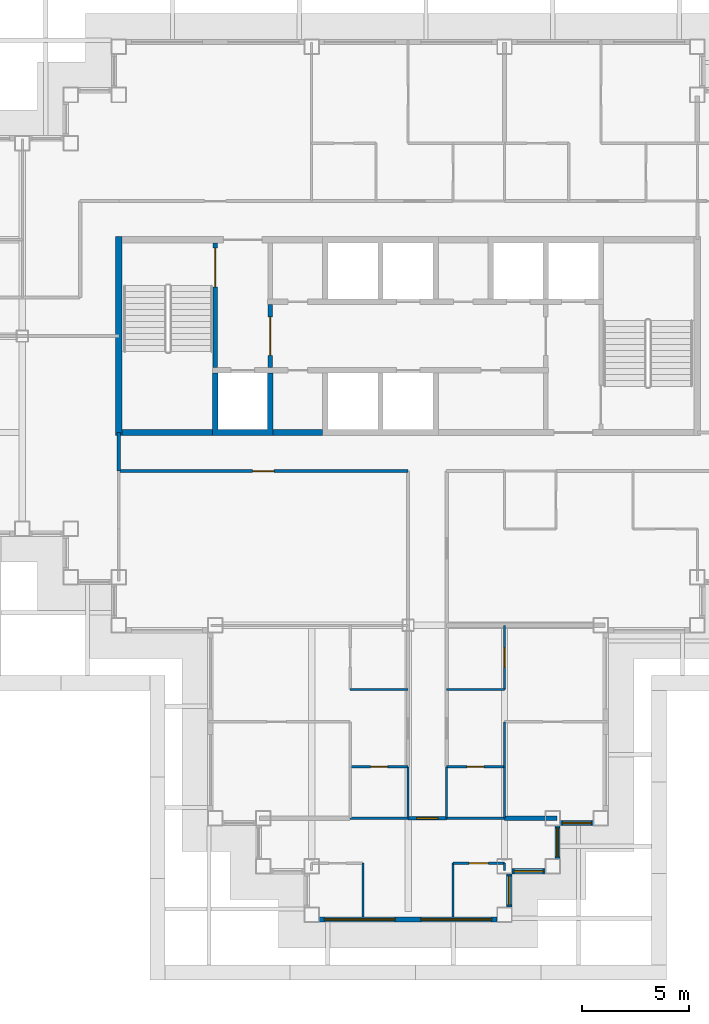
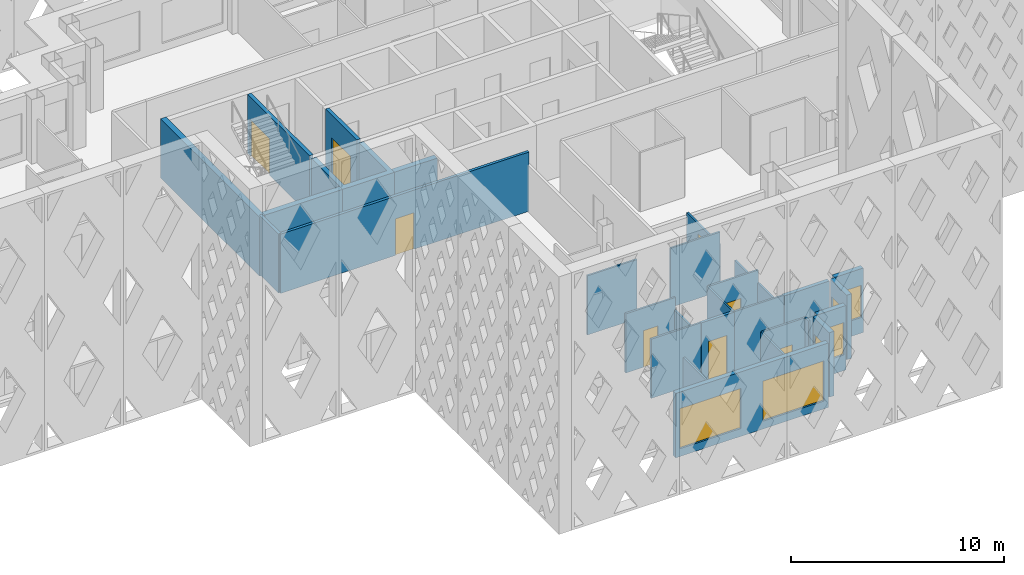
# One storey, part 3 of 17: 30 walls, 8 doors, 6 windows, 14 openings.
"""IFC4 building model written with IfcOpenShell, lengths in metres."""

from ifc_helpers import new_model, si_unit, direction, frame, frame_2d, origin, place, context, subcontext, project, spatial, polyline, rectangle, outline, extrude, material, layer, layer_set, type_object, element, fill, save


model = new_model("IFC4")

# Units and contexts
model_context = context("Model", 3, precision=1e-05, world=origin(), true_north=direction((0.0, 1.0)))
body_context = subcontext(model_context, "Body", "Model", "MODEL_VIEW")
ifc_project = project(units=[si_unit("LENGTHUNIT", "METRE"), si_unit("AREAUNIT", "SQUARE_METRE"), si_unit("VOLUMEUNIT", "CUBIC_METRE"), si_unit("PLANEANGLEUNIT", "RADIAN"), si_unit("MASSUNIT", "GRAM", prefix="KILO")], contexts=[model_context])

# Site, building, storey
site_placement = place(None, origin())
site = spatial("IfcSite", under=ifc_project, at=site_placement, CompositionType="ELEMENT")
building_placement = place(site_placement, origin())
building = spatial("IfcBuilding", under=site, at=building_placement, Name="Caravel Reach Hotel and Residences", CompositionType="ELEMENT")
storey_placement = place(building_placement, frame((0.0, 0.0, 192.39990234375)))
storey = spatial("IfcBuildingStorey", under=building, at=storey_placement, Name="L48", CompositionType="ELEMENT", Elevation=192.39990234375)

# Walls
ifc_material_1 = material(Name="Gypsum board on steel stud", Category="steel")
ifc_layer_1 = layer(ifc_material_1, 0.10009765625)
ifc_layer_set_1 = layer_set([ifc_layer_1], Name="Bathroom pod wall 100 mm")
wall_type_1 = type_object("IfcWallType", Name="Bathroom pod wall 100 mm", PredefinedType="PARTITIONING", material=ifc_layer_set_1)
for number, where, z_axis, x_axis, name in (
    (1, (33.300048828125, 4.5, 0.0), (0.0, 0.0, 1.0), (1.0, 0.0, 0.0), "L48 wall w088"),
    (2, (28.800048828125, 4.5, 0.0), (0.0, 0.0, 1.0), (1.0, 0.0, 0.0), "L48 wall w089"),
):
    element("IfcWall", number, at=place(storey_placement, frame(where, z_axis=z_axis, x_axis=x_axis)), inside=storey, type_object=wall_type_1, Name=name, PredefinedType="PARTITIONING", context=body_context, shape_type="SweptSolid", body=[
        extrude(rectangle(XDim=2.699951171875, YDim=0.10009765625, at=frame_2d((1.35009765625, 0.0))), origin(), (0.0, 0.0, 1.0), 3.400146484375),
    ])

# Wall, opening, door
wall_1_placement = place(storey_placement, frame((33.300048828125, 6.89990234375, 0.0), z_axis=(0.0, 0.0, 1.0), x_axis=(1.0, 0.0, 0.0)))
wall_1 = element("IfcWall", 3, at=wall_1_placement, inside=storey, type_object=wall_type_1, Name="L48 wall w090", PredefinedType="PARTITIONING", context=body_context, shape_type="SweptSolid", body=[
    extrude(rectangle(XDim=2.699951171875, YDim=0.10009765625, at=frame_2d((1.35009765625, 0.0))), origin(), (0.0, 0.0, 1.0), 3.400146484375),
])
opening_1_placement = place(wall_1_placement, frame((0.949951171875, 0.0, 0.0)))
opening_1 = element("IfcOpeningElement", 4, at=opening_1_placement, cuts=wall_1, Name="Opening D48-039", PredefinedType="OPENING", context=body_context, shape_type="SweptSolid", body=[
    extrude(rectangle(XDim=0.800048828125, YDim=2.10009765625, at=frame_2d((0.39990234375, 1.050048828125))), frame((0.0, 0.06005859375, 0.0), z_axis=(0.0, -1.0, 0.0), x_axis=(1.0, 0.0, 0.0)), (0.0, 0.0, 1.0), 0.1201171875),
])
ifc_material_2 = material(Name="Timber and steel door leaf", Category="steel")
door_type_1 = type_object("IfcDoorType", Name="Bathroom door 800 x 2100", OperationType="SINGLE_SWING_LEFT", PredefinedType="DOOR", material=ifc_material_2)
door_1_placement = place(opening_1_placement, origin())
door_1 = element("IfcDoor", 5, at=door_1_placement, inside=storey, type_object=door_type_1, Name="door D48-039", OperationType="SINGLE_SWING_RIGHT", OverallHeight=2.10009765625, OverallWidth=0.800048828125, PredefinedType="DOOR", context=body_context, shape_type="SweptSolid", body=[
    extrude(rectangle(XDim=0.800048828125, YDim=2.10009765625, at=frame_2d((0.39990234375, 1.050048828125))), frame((0.0, 0.02490234375, 0.0), z_axis=(0.0, -1.0, 0.0), x_axis=(1.0, 0.0, 0.0)), (0.0, 0.0, 1.0), 0.050048828125),
])
fill(opening_1, door_1)

wall_2_placement = place(storey_placement, frame((28.800048828125, 6.89990234375, 0.0), z_axis=(0.0, 0.0, 1.0), x_axis=(1.0, 0.0, 0.0)))
wall_2 = element("IfcWall", 6, at=wall_2_placement, inside=storey, type_object=wall_type_1, Name="L48 wall w091", PredefinedType="PARTITIONING", context=body_context, shape_type="SweptSolid", body=[
    extrude(rectangle(XDim=2.699951171875, YDim=0.10009765625, at=frame_2d((1.35009765625, 0.0))), origin(), (0.0, 0.0, 1.0), 3.400146484375),
])
opening_2_placement = place(wall_2_placement, frame((0.949951171875, 0.0, 0.0)))
opening_2 = element("IfcOpeningElement", 7, at=opening_2_placement, cuts=wall_2, Name="Opening D48-035", PredefinedType="OPENING", context=body_context, shape_type="SweptSolid", body=[
    extrude(rectangle(XDim=0.800048828125, YDim=2.10009765625, at=frame_2d((0.39990234375, 1.050048828125))), frame((0.0, 0.06005859375, 0.0), z_axis=(0.0, -1.0, 0.0), x_axis=(1.0, 0.0, 0.0)), (0.0, 0.0, 1.0), 0.1201171875),
])
door_2_placement = place(opening_2_placement, origin())
door_2 = element("IfcDoor", 8, at=door_2_placement, inside=storey, type_object=door_type_1, Name="door D48-035", OperationType="SINGLE_SWING_LEFT", OverallHeight=2.10009765625, OverallWidth=0.800048828125, PredefinedType="DOOR", context=body_context, shape_type="SweptSolid", body=[
    extrude(rectangle(XDim=0.800048828125, YDim=2.10009765625, at=frame_2d((0.39990234375, 1.050048828125))), frame((0.0, 0.02490234375, 0.0), z_axis=(0.0, -1.0, 0.0), x_axis=(1.0, 0.0, 0.0)), (0.0, 0.0, 1.0), 0.050048828125),
])
fill(opening_2, door_2)

# Walls
wall_3_placement = place(storey_placement, frame((29.39990234375, -0.10009765625, 0.0), z_axis=(0.0, 0.0, 1.0), x_axis=(0.0, 1.0, 0.0)))
element("IfcWall", 9, at=wall_3_placement, inside=storey, type_object=wall_type_1, Name="L48 wall w095", PredefinedType="PARTITIONING", context=body_context, shape_type="SweptSolid", body=[
    extrude(rectangle(XDim=2.5, YDim=0.10009765625, at=frame_2d((1.25, 0.0))), origin(), (0.0, 0.0, 1.0), 3.400146484375),
])
wall_4_placement = place(storey_placement, frame((31.5, 4.5, 0.0), z_axis=(0.0, 0.0, 1.0), x_axis=(0.0, 1.0, 0.0)))
element("IfcWall", 10, at=wall_4_placement, inside=storey, type_object=wall_type_1, Name="L48 wall w096", PredefinedType="PARTITIONING", context=body_context, shape_type="SweptSolid", body=[
    extrude(rectangle(XDim=2.39990234375, YDim=0.10009765625, at=frame_2d((1.199951171875, 0.0))), origin(), (0.0, 0.0, 1.0), 2.68017578125),
])
wall_5_placement = place(storey_placement, frame((33.300048828125, 4.5, 0.0), z_axis=(0.0, 0.0, 1.0), x_axis=(0.0, 1.0, 0.0)))
element("IfcWall", 11, at=wall_5_placement, inside=storey, type_object=wall_type_1, Name="L48 wall w097", PredefinedType="PARTITIONING", context=body_context, shape_type="SweptSolid", body=[
    extrude(rectangle(XDim=2.39990234375, YDim=0.10009765625, at=frame_2d((1.199951171875, 0.0))), origin(), (0.0, 0.0, 1.0), 3.400146484375),
])
wall_6_placement = place(storey_placement, frame((36.0, 4.5, 0.0), z_axis=(0.0, 0.0, 1.0), x_axis=(0.0, 1.0, 0.0)))
element("IfcWall", 12, at=wall_6_placement, inside=storey, type_object=wall_type_1, Name="L48 wall w100", PredefinedType="PARTITIONING", context=body_context, shape_type="SweptSolid", body=[
    extrude(rectangle(XDim=2.39990234375, YDim=0.10009765625, at=frame_2d((1.199951171875, 0.0))), origin(), (0.0, 0.0, 1.0), 2.68017578125),
])
ifc_material_3 = material(Name="Concrete C60", Category="concrete")
ifc_layer_2 = layer(ifc_material_3, 0.300048828125)
ifc_layer_set_2 = layer_set([ifc_layer_2], Name="Core wall 300 mm EI 120")
wall_type_2 = type_object("IfcWallType", Name="Core wall 300 mm EI 120", PredefinedType="SHEAR", material=ifc_layer_set_2)
wall_7_placement = place(storey_placement, frame((18.14990234375, 22.5, 0.0), z_axis=(0.0, 0.0, 1.0), x_axis=(1.0, 0.0, 0.0)))
element("IfcWall", 13, at=wall_7_placement, inside=storey, type_object=wall_type_2, Name="L48 core wall S1", PredefinedType="SHEAR", context=body_context, shape_type="SweptSolid", body=[
    extrude(rectangle(XDim=4.22509765625, YDim=0.300048828125, at=frame_2d((2.112548828125, 0.0))), origin(), (0.0, 0.0, 1.0), 3.400146484375),
])
wall_8_placement = place(storey_placement, frame((25.196533203125, 22.5, 0.0), z_axis=(0.0, 0.0, 1.0), x_axis=(1.0, 0.0, 0.0)))
element("IfcWall", 14, at=wall_8_placement, inside=storey, type_object=wall_type_2, Name="L48 core wall S2", PredefinedType="SHEAR", context=body_context, shape_type="SweptSolid", body=[
    extrude(rectangle(XDim=2.3212890625, YDim=0.300048828125, at=frame_2d((1.16064453125, 0.0))), origin(), (0.0, 0.0, 1.0), 3.400146484375),
])
wall_9_placement = place(storey_placement, frame((18.0, 22.35009765625, 0.0), z_axis=(0.0, 0.0, 1.0), x_axis=(0.0, 1.0, 0.0)))
element("IfcWall", 15, at=wall_9_placement, inside=storey, type_object=wall_type_2, Name="L48 core wall W", PredefinedType="SHEAR", context=body_context, shape_type="SweptSolid", body=[
    extrude(rectangle(XDim=9.2998046875, YDim=0.300048828125, at=frame_2d((4.64990234375, 0.0))), origin(), (0.0, 0.0, 1.0), 3.400146484375),
])

# Wall, opening, door
ifc_material_4 = material(Name="Gypsum board on steel stud, fire-rated", Category="steel")
ifc_layer_3 = layer(ifc_material_4, 0.14990234375)
ifc_layer_set_3 = layer_set([ifc_layer_3], Name="Corridor wall 150 mm EI 60")
wall_type_3 = type_object("IfcWallType", Name="Corridor wall 150 mm EI 60", PredefinedType="PARTITIONING", material=ifc_layer_set_3)
wall_10_placement = place(storey_placement, frame((18.0, 20.699951171875, 0.0), z_axis=(0.0, 0.0, 1.0), x_axis=(1.0, 0.0, 0.0)))
wall_10 = element("IfcWall", 16, at=wall_10_placement, inside=storey, type_object=wall_type_3, Name="L48 wall w005", PredefinedType="PARTITIONING", context=body_context, shape_type="SweptSolid", body=[
    extrude(rectangle(XDim=13.5, YDim=0.14990234375, at=frame_2d((6.75, 0.0))), origin(), (0.0, 0.0, 1.0), 3.400146484375),
])
opening_3_placement = place(wall_10_placement, frame((6.25, 0.0, 0.0)))
opening_3 = element("IfcOpeningElement", 17, at=opening_3_placement, cuts=wall_10, Name="Opening D48-030", PredefinedType="OPENING", context=body_context, shape_type="SweptSolid", body=[
    extrude(rectangle(XDim=1.0, YDim=2.10009765625, at=frame_2d((0.5, 1.050048828125))), frame((0.0, 0.0849609375, 0.0), z_axis=(0.0, -1.0, 0.0), x_axis=(1.0, 0.0, 0.0)), (0.0, 0.0, 1.0), 0.169921875),
])
ifc_material_5 = material(Name="Steel fire door leaf", Category="steel")
door_type_2 = type_object("IfcDoorType", Name="Fire door 1000 x 2100 EI 60", OperationType="SINGLE_SWING_LEFT", PredefinedType="DOOR", material=ifc_material_5)
door_3_placement = place(opening_3_placement, origin())
door_3 = element("IfcDoor", 18, at=door_3_placement, inside=storey, type_object=door_type_2, Name="door D48-030", OperationType="SINGLE_SWING_LEFT", OverallHeight=2.10009765625, OverallWidth=1.0, PredefinedType="DOOR", context=body_context, shape_type="SweptSolid", body=[
    extrude(rectangle(XDim=1.0, YDim=2.10009765625, at=frame_2d((0.5, 1.050048828125))), frame((0.0, 0.02490234375, 0.0), z_axis=(0.0, -1.0, 0.0), x_axis=(1.0, 0.0, 0.0)), (0.0, 0.0, 1.0), 0.050048828125),
])
fill(opening_3, door_3)

wall_11_placement = place(storey_placement, frame((31.5, 4.5, 0.0), z_axis=(0.0, 0.0, 1.0), x_axis=(1.0, 0.0, 0.0)))
wall_11 = element("IfcWall", 19, at=wall_11_placement, inside=storey, type_object=wall_type_3, Name="L48 wall w017", PredefinedType="PARTITIONING", context=body_context, shape_type="SweptSolid", body=[
    extrude(rectangle(XDim=1.800048828125, YDim=0.14990234375, at=frame_2d((0.89990234375, 0.0))), origin(), (0.0, 0.0, 1.0), 3.400146484375),
])
opening_4_placement = place(wall_11_placement, frame((0.39990234375, 0.0, 0.0)))
opening_4 = element("IfcOpeningElement", 20, at=opening_4_placement, cuts=wall_11, Name="Opening D48-048", PredefinedType="OPENING", context=body_context, shape_type="SweptSolid", body=[
    extrude(rectangle(XDim=1.0, YDim=2.199951171875, at=frame_2d((0.5, 1.10009765625))), frame((0.0, 0.0849609375, 0.0), z_axis=(0.0, -1.0, 0.0), x_axis=(1.0, 0.0, 0.0)), (0.0, 0.0, 1.0), 0.169921875),
])
ifc_material_6 = material(Name="Steel fire door leaf", Category="steel")
door_type_3 = type_object("IfcDoorType", Name="Flat entrance door 1000 x 2200 EI 60", OperationType="SINGLE_SWING_LEFT", PredefinedType="DOOR", material=ifc_material_6)
door_4_placement = place(opening_4_placement, origin())
door_4 = element("IfcDoor", 21, at=door_4_placement, inside=storey, type_object=door_type_3, Name="door D48-048", OperationType="SINGLE_SWING_RIGHT", OverallHeight=2.199951171875, OverallWidth=1.0, PredefinedType="DOOR", context=body_context, shape_type="SweptSolid", body=[
    extrude(rectangle(XDim=1.0, YDim=2.199951171875, at=frame_2d((0.5, 1.10009765625))), frame((0.0, 0.02490234375, 0.0), z_axis=(0.0, -1.0, 0.0), x_axis=(1.0, 0.0, 0.0)), (0.0, 0.0, 1.0), 0.050048828125),
])
fill(opening_4, door_4)

# Wall
wall_12_placement = place(storey_placement, frame((18.0, 20.699951171875, 0.0), z_axis=(0.0, 0.0, 1.0), x_axis=(0.0, 1.0, 0.0)))
element("IfcWall", 22, at=wall_12_placement, inside=storey, type_object=wall_type_3, Name="L48 wall w019", PredefinedType="PARTITIONING", context=body_context, shape_type="SweptSolid", body=[
    extrude(rectangle(XDim=1.800048828125, YDim=0.14990234375, at=frame_2d((0.89990234375, 0.0))), origin(), (0.0, 0.0, 1.0), 3.400146484375),
])

# Wall, openings, windows
ifc_material_7 = material(Name="Insulated rainscreen wall, aluminium cladding", Category="aluminium")
ifc_layer_4 = layer(ifc_material_7, 0.25)
ifc_layer_set_4 = layer_set([ifc_layer_4], Name="EW1 Tower rainscreen wall")
wall_type_4 = type_object("IfcWallType", Name="EW1 Tower rainscreen wall", PredefinedType="SOLIDWALL", material=ifc_layer_set_4)
wall_13_placement = place(storey_placement, frame((27.35009765625, -0.22509765625, 0.0), z_axis=(0.0, 0.0, 1.0), x_axis=(1.0, 0.0, 0.0)))
wall_13 = element("IfcWall", 23, at=wall_13_placement, inside=storey, type_object=wall_type_4, Name="External wall L48 S35.1", PredefinedType="SOLIDWALL", context=body_context, shape_type="SweptSolid", body=[
    extrude(rectangle(XDim=8.2998046875, YDim=0.25, at=frame_2d((4.14990234375, 0.0))), origin(), (0.0, 0.0, 1.0), 3.7001953125),
])
opening_5_placement = place(wall_13_placement, frame((0.25, 0.0, 0.449951171875)))
opening_5 = element("IfcOpeningElement", 24, at=opening_5_placement, cuts=wall_13, Name="Opening WN15", PredefinedType="OPENING", context=body_context, shape_type="SweptSolid", body=[
    extrude(rectangle(XDim=3.300048828125, YDim=2.300048828125, at=frame_2d((1.64990234375, 1.14990234375))), frame((0.0, 0.135009765625, 0.0), z_axis=(0.0, -1.0, 0.0), x_axis=(1.0, 0.0, 0.0)), (0.0, 0.0, 1.0), 0.27001953125),
])
opening_6_placement = place(wall_13_placement, frame((4.75, 0.0, 0.449951171875)))
opening_6 = element("IfcOpeningElement", 25, at=opening_6_placement, cuts=wall_13, Name="Opening WN15", PredefinedType="OPENING", context=body_context, shape_type="SweptSolid", body=[
    extrude(rectangle(XDim=3.300048828125, YDim=2.300048828125, at=frame_2d((1.64990234375, 1.14990234375))), frame((0.0, 0.135009765625, 0.0), z_axis=(0.0, -1.0, 0.0), x_axis=(1.0, 0.0, 0.0)), (0.0, 0.0, 1.0), 0.27001953125),
])
ifc_material_8 = material(Name="Dark low-e glazing in black aluminium frame", Category="aluminium")
window_type_1 = type_object("IfcWindowType", Name="Residence living window 3300 x 2300", PartitioningType="SINGLE_PANEL", PredefinedType="WINDOW", material=ifc_material_8)
window_1_placement = place(opening_5_placement, origin())
window_1 = element("IfcWindow", 26, at=window_1_placement, inside=storey, type_object=window_type_1, Name="Window L48 S35.1.1", OverallHeight=2.300048828125, OverallWidth=3.300048828125, PartitioningType="SINGLE_PANEL", PredefinedType="WINDOW", context=body_context, shape_type="SweptSolid", body=[
    extrude(rectangle(XDim=3.300048828125, YDim=2.300048828125, at=frame_2d((1.64990234375, 1.14990234375))), frame((0.0, 0.030029296875, 0.0), z_axis=(0.0, -1.0, 0.0), x_axis=(1.0, 0.0, 0.0)), (0.0, 0.0, 1.0), 0.06005859375),
])
fill(opening_5, window_1)
window_2_placement = place(opening_6_placement, origin())
window_2 = element("IfcWindow", 27, at=window_2_placement, inside=storey, type_object=window_type_1, Name="Window L48 S35.1.2", OverallHeight=2.300048828125, OverallWidth=3.300048828125, PartitioningType="SINGLE_PANEL", PredefinedType="WINDOW", context=body_context, shape_type="SweptSolid", body=[
    extrude(rectangle(XDim=3.300048828125, YDim=2.300048828125, at=frame_2d((1.64990234375, 1.14990234375))), frame((0.0, 0.030029296875, 0.0), z_axis=(0.0, -1.0, 0.0), x_axis=(1.0, 0.0, 0.0)), (0.0, 0.0, 1.0), 0.06005859375),
])
fill(opening_6, window_2)

# Wall, opening, window
wall_14_placement = place(storey_placement, frame((36.22509765625, 0.35009765625, 0.0), z_axis=(0.0, 0.0, 1.0), x_axis=(0.0, 1.0, 0.0)))
wall_14 = element("IfcWall", 28, at=wall_14_placement, inside=storey, type_object=wall_type_4, Name="External wall L48 E36.1", PredefinedType="SOLIDWALL", context=body_context, shape_type="SweptSolid", body=[
    extrude(rectangle(XDim=1.5498046875, YDim=0.25, at=frame_2d((0.77490234375, 0.0))), origin(), (0.0, 0.0, 1.0), 3.7001953125),
])
opening_7_placement = place(wall_14_placement, frame((0.10009765625, 0.0, 0.89990234375)))
opening_7 = element("IfcOpeningElement", 29, at=opening_7_placement, cuts=wall_14, Name="Opening WN21", PredefinedType="OPENING", context=body_context, shape_type="SweptSolid", body=[
    extrude(rectangle(XDim=1.35009765625, YDim=1.85009765625, at=frame_2d((0.675048828125, 0.925048828125))), frame((0.0, 0.135009765625, 0.0), z_axis=(0.0, -1.0, 0.0), x_axis=(1.0, 0.0, 0.0)), (0.0, 0.0, 1.0), 0.27001953125),
])
ifc_material_9 = material(Name="Dark low-e glazing in black aluminium frame", Category="aluminium")
window_type_2 = type_object("IfcWindowType", Name="Residence bedroom window 1350 x 1850", PartitioningType="SINGLE_PANEL", PredefinedType="WINDOW", material=ifc_material_9)
window_3_placement = place(opening_7_placement, origin())
window_3 = element("IfcWindow", 30, at=window_3_placement, inside=storey, type_object=window_type_2, Name="Window L48 E36.1.1", OverallHeight=1.85009765625, OverallWidth=1.35009765625, PartitioningType="SINGLE_PANEL", PredefinedType="WINDOW", context=body_context, shape_type="SweptSolid", body=[
    extrude(rectangle(XDim=1.35009765625, YDim=1.85009765625, at=frame_2d((0.675048828125, 0.925048828125))), frame((0.0, 0.030029296875, 0.0), z_axis=(0.0, -1.0, 0.0), x_axis=(1.0, 0.0, 0.0)), (0.0, 0.0, 1.0), 0.06005859375),
])
fill(opening_7, window_3)

wall_15_placement = place(storey_placement, frame((36.35009765625, 2.02490234375, 0.0), z_axis=(0.0, 0.0, 1.0), x_axis=(1.0, 0.0, 0.0)))
wall_15 = element("IfcWall", 31, at=wall_15_placement, inside=storey, type_object=wall_type_4, Name="External wall L48 S37.1", PredefinedType="SOLIDWALL", context=body_context, shape_type="SweptSolid", body=[
    extrude(rectangle(XDim=1.5498046875, YDim=0.25, at=frame_2d((0.77490234375, 0.0))), origin(), (0.0, 0.0, 1.0), 3.7001953125),
])
opening_8_placement = place(wall_15_placement, frame((0.10009765625, 0.0, 0.89990234375)))
opening_8 = element("IfcOpeningElement", 32, at=opening_8_placement, cuts=wall_15, Name="Opening WN21", PredefinedType="OPENING", context=body_context, shape_type="SweptSolid", body=[
    extrude(rectangle(XDim=1.35009765625, YDim=1.85009765625, at=frame_2d((0.675048828125, 0.925048828125))), frame((0.0, 0.135009765625, 0.0), z_axis=(0.0, -1.0, 0.0), x_axis=(1.0, 0.0, 0.0)), (0.0, 0.0, 1.0), 0.27001953125),
])
window_4_placement = place(opening_8_placement, origin())
window_4 = element("IfcWindow", 33, at=window_4_placement, inside=storey, type_object=window_type_2, Name="Window L48 S37.1.1", OverallHeight=1.85009765625, OverallWidth=1.35009765625, PartitioningType="SINGLE_PANEL", PredefinedType="WINDOW", context=body_context, shape_type="SweptSolid", body=[
    extrude(rectangle(XDim=1.35009765625, YDim=1.85009765625, at=frame_2d((0.675048828125, 0.925048828125))), frame((0.0, 0.030029296875, 0.0), z_axis=(0.0, -1.0, 0.0), x_axis=(1.0, 0.0, 0.0)), (0.0, 0.0, 1.0), 0.06005859375),
])
fill(opening_8, window_4)

wall_16_placement = place(storey_placement, frame((38.47509765625, 2.60009765625, 0.0), z_axis=(0.0, 0.0, 1.0), x_axis=(0.0, 1.0, 0.0)))
wall_16 = element("IfcWall", 34, at=wall_16_placement, inside=storey, type_object=wall_type_4, Name="External wall L48 E38.1", PredefinedType="SOLIDWALL", context=body_context, shape_type="SweptSolid", body=[
    extrude(rectangle(XDim=1.5498046875, YDim=0.25, at=frame_2d((0.77490234375, 0.0))), origin(), (0.0, 0.0, 1.0), 3.7001953125),
])
opening_9_placement = place(wall_16_placement, frame((0.10009765625, 0.0, 0.89990234375)))
opening_9 = element("IfcOpeningElement", 35, at=opening_9_placement, cuts=wall_16, Name="Opening WN21", PredefinedType="OPENING", context=body_context, shape_type="SweptSolid", body=[
    extrude(rectangle(XDim=1.35009765625, YDim=1.85009765625, at=frame_2d((0.675048828125, 0.925048828125))), frame((0.0, 0.135009765625, 0.0), z_axis=(0.0, -1.0, 0.0), x_axis=(1.0, 0.0, 0.0)), (0.0, 0.0, 1.0), 0.27001953125),
])
window_5_placement = place(opening_9_placement, origin())
window_5 = element("IfcWindow", 36, at=window_5_placement, inside=storey, type_object=window_type_2, Name="Window L48 E38.1.1", OverallHeight=1.85009765625, OverallWidth=1.35009765625, PartitioningType="SINGLE_PANEL", PredefinedType="WINDOW", context=body_context, shape_type="SweptSolid", body=[
    extrude(rectangle(XDim=1.35009765625, YDim=1.85009765625, at=frame_2d((0.675048828125, 0.925048828125))), frame((0.0, 0.030029296875, 0.0), z_axis=(0.0, -1.0, 0.0), x_axis=(1.0, 0.0, 0.0)), (0.0, 0.0, 1.0), 0.06005859375),
])
fill(opening_9, window_5)

wall_17_placement = place(storey_placement, frame((38.60009765625, 4.27490234375, 0.0), z_axis=(0.0, 0.0, 1.0), x_axis=(1.0, 0.0, 0.0)))
wall_17 = element("IfcWall", 37, at=wall_17_placement, inside=storey, type_object=wall_type_4, Name="External wall L48 S39.1", PredefinedType="SOLIDWALL", context=body_context, shape_type="SweptSolid", body=[
    extrude(rectangle(XDim=1.5498046875, YDim=0.25, at=frame_2d((0.77490234375, 0.0))), origin(), (0.0, 0.0, 1.0), 3.7001953125),
])
opening_10_placement = place(wall_17_placement, frame((0.10009765625, 0.0, 0.89990234375)))
opening_10 = element("IfcOpeningElement", 38, at=opening_10_placement, cuts=wall_17, Name="Opening WN21", PredefinedType="OPENING", context=body_context, shape_type="SweptSolid", body=[
    extrude(rectangle(XDim=1.35009765625, YDim=1.85009765625, at=frame_2d((0.675048828125, 0.925048828125))), frame((0.0, 0.135009765625, 0.0), z_axis=(0.0, -1.0, 0.0), x_axis=(1.0, 0.0, 0.0)), (0.0, 0.0, 1.0), 0.27001953125),
])
window_6_placement = place(opening_10_placement, origin())
window_6 = element("IfcWindow", 39, at=window_6_placement, inside=storey, type_object=window_type_2, Name="Window L48 S39.1.1", OverallHeight=1.85009765625, OverallWidth=1.35009765625, PartitioningType="SINGLE_PANEL", PredefinedType="WINDOW", context=body_context, shape_type="SweptSolid", body=[
    extrude(rectangle(XDim=1.35009765625, YDim=1.85009765625, at=frame_2d((0.675048828125, 0.925048828125))), frame((0.0, 0.030029296875, 0.0), z_axis=(0.0, -1.0, 0.0), x_axis=(1.0, 0.0, 0.0)), (0.0, 0.0, 1.0), 0.06005859375),
])
fill(opening_10, window_6)

# Wall, opening, door
ifc_material_10 = material(Name="Autoclaved aerated block wall")
ifc_layer_5 = layer(ifc_material_10, 0.199951171875)
ifc_layer_set_5 = layer_set([ifc_layer_5], Name="Fire lobby wall 200 mm EI 120")
wall_type_5 = type_object("IfcWallType", Name="Fire lobby wall 200 mm EI 120", PredefinedType="PARTITIONING", material=ifc_layer_set_5)
wall_18_placement = place(storey_placement, frame((25.071533203125, 25.52490234375, 0.0), z_axis=(0.0, 0.0, 1.0), x_axis=(0.0, 1.0, 0.0)))
wall_18 = element("IfcWall", 40, at=wall_18_placement, inside=storey, type_object=wall_type_5, Name="L48 lobby W wall", PredefinedType="PARTITIONING", context=body_context, shape_type="SweptSolid", body=[
    extrude(rectangle(XDim=2.9501953125, YDim=0.199951171875, at=frame_2d((1.47509765625, 0.0))), origin(), (0.0, 0.0, 1.0), 3.400146484375),
])
opening_11_placement = place(wall_18_placement, frame((0.574951171875, 0.0, 0.0)))
opening_11 = element("IfcOpeningElement", 41, at=opening_11_placement, cuts=wall_18, Name="Opening D48-012", PredefinedType="OPENING", context=body_context, shape_type="SweptSolid", body=[
    extrude(rectangle(XDim=1.800048828125, YDim=2.10009765625, at=frame_2d((0.89990234375, 1.050048828125))), frame((0.0, 0.10986328125, 0.0), z_axis=(0.0, -1.0, 0.0), x_axis=(1.0, 0.0, 0.0)), (0.0, 0.0, 1.0), 0.219970703125),
])
ifc_material_11 = material(Name="Steel fire door leaf", Category="steel")
door_type_4 = type_object("IfcDoorType", Name="Fire lobby door pair 1800 x 2100 EI 90", OperationType="DOUBLE_DOOR_SINGLE_SWING", PredefinedType="DOOR", material=ifc_material_11)
door_5_placement = place(opening_11_placement, origin())
door_5 = element("IfcDoor", 42, at=door_5_placement, inside=storey, type_object=door_type_4, Name="lobby W door pair", OperationType="DOUBLE_DOOR_SINGLE_SWING", OverallHeight=2.10009765625, OverallWidth=1.800048828125, PredefinedType="DOOR", context=body_context, shape_type="SweptSolid", body=[
    extrude(rectangle(XDim=1.800048828125, YDim=2.10009765625, at=frame_2d((0.89990234375, 1.050048828125))), frame((0.0, 0.02490234375, 0.0), z_axis=(0.0, -1.0, 0.0), x_axis=(1.0, 0.0, 0.0)), (0.0, 0.0, 1.0), 0.050048828125),
])
fill(opening_11, door_5)

# Walls
ifc_material_12 = material(Name="Gypsum board on steel stud", Category="steel")
ifc_layer_6 = layer(ifc_material_12, 0.10009765625)
ifc_layer_set_6 = layer_set([ifc_layer_6], Name="Partition 100 mm")
wall_type_6 = type_object("IfcWallType", Name="Partition 100 mm", PredefinedType="PARTITIONING", material=ifc_layer_set_6)
for number, where, z_axis, x_axis, name in (
    (43, (33.300048828125, 10.5, 0.0), (0.0, 0.0, 1.0), (1.0, 0.0, 0.0), "L48 wall w028"),
    (44, (28.800048828125, 10.5, 0.0), (0.0, 0.0, 1.0), (1.0, 0.0, 0.0), "L48 wall w029"),
):
    element("IfcWall", number, at=place(storey_placement, frame(where, z_axis=z_axis, x_axis=x_axis)), inside=storey, type_object=wall_type_6, Name=name, PredefinedType="PARTITIONING", context=body_context, shape_type="SweptSolid", body=[
        extrude(rectangle(XDim=2.699951171875, YDim=0.10009765625, at=frame_2d((1.35009765625, 0.0))), origin(), (0.0, 0.0, 1.0), 3.400146484375),
    ])

# Wall, opening, door
wall_19_placement = place(storey_placement, frame((33.60009765625, 2.39990234375, 0.0), z_axis=(0.0, 0.0, 1.0), x_axis=(1.0, 0.0, 0.0)))
wall_19 = element("IfcWall", 45, at=wall_19_placement, inside=storey, type_object=wall_type_6, Name="L48 wall w033", PredefinedType="PARTITIONING", context=body_context, shape_type="SweptSolid", body=[
    extrude(rectangle(XDim=2.39990234375, YDim=0.10009765625, at=frame_2d((1.199951171875, 0.0))), origin(), (0.0, 0.0, 1.0), 3.400146484375),
])
opening_12_placement = place(wall_19_placement, frame((0.75, 0.0, 0.0)))
opening_12 = element("IfcOpeningElement", 46, at=opening_12_placement, cuts=wall_19, Name="Opening D48-050", PredefinedType="OPENING", context=body_context, shape_type="SweptSolid", body=[
    extrude(rectangle(XDim=0.89990234375, YDim=2.10009765625, at=frame_2d((0.449951171875, 1.050048828125))), frame((0.0, 0.06005859375, 0.0), z_axis=(0.0, -1.0, 0.0), x_axis=(1.0, 0.0, 0.0)), (0.0, 0.0, 1.0), 0.1201171875),
])
ifc_material_13 = material(Name="Timber and steel door leaf", Category="steel")
door_type_5 = type_object("IfcDoorType", Name="Door 900 x 2100 timber", OperationType="SINGLE_SWING_LEFT", PredefinedType="DOOR", material=ifc_material_13)
door_6_placement = place(opening_12_placement, origin())
door_6 = element("IfcDoor", 47, at=door_6_placement, inside=storey, type_object=door_type_5, Name="door D48-050", OperationType="SINGLE_SWING_RIGHT", OverallHeight=2.10009765625, OverallWidth=0.89990234375, PredefinedType="DOOR", context=body_context, shape_type="SweptSolid", body=[
    extrude(rectangle(XDim=0.89990234375, YDim=2.10009765625, at=frame_2d((0.449951171875, 1.050048828125))), frame((0.0, 0.02490234375, 0.0), z_axis=(0.0, -1.0, 0.0), x_axis=(1.0, 0.0, 0.0)), (0.0, 0.0, 1.0), 0.050048828125),
])
fill(opening_12, door_6)

# Walls
wall_20_placement = place(storey_placement, frame((33.60009765625, -0.10009765625, 0.0), z_axis=(0.0, 0.0, 1.0), x_axis=(0.0, 1.0, 0.0)))
element("IfcWall", 48, at=wall_20_placement, inside=storey, type_object=wall_type_6, Name="L48 wall w059", PredefinedType="PARTITIONING", context=body_context, shape_type="SweptSolid", body=[
    extrude(rectangle(XDim=2.5, YDim=0.10009765625, at=frame_2d((1.25, 0.0))), origin(), (0.0, 0.0, 1.0), 3.400146484375),
])
wall_21_placement = place(storey_placement, frame((36.0, 6.89990234375, 0.0), z_axis=(0.0, 0.0, 1.0), x_axis=(0.0, 1.0, 0.0)))
element("IfcWall", 49, at=wall_21_placement, inside=storey, type_object=wall_type_6, Name="L48 wall w060", PredefinedType="PARTITIONING", context=body_context, shape_type="SweptSolid", body=[
    extrude(rectangle(XDim=2.10009765625, YDim=0.10009765625, at=frame_2d((1.050048828125, 0.0))), origin(), (0.0, 0.0, 1.0), 2.68017578125),
])

# Wall, opening, door
wall_22_placement = place(storey_placement, frame((36.0, 10.5, 0.0), z_axis=(0.0, 0.0, 1.0), x_axis=(0.0, 1.0, 0.0)))
wall_22 = element("IfcWall", 50, at=wall_22_placement, inside=storey, type_object=wall_type_6, Name="L48 wall w061", PredefinedType="PARTITIONING", context=body_context, shape_type="SweptSolid", body=[
    extrude(rectangle(XDim=3.0, YDim=0.10009765625, at=frame_2d((1.5, 0.0))), origin(), (0.0, 0.0, 1.0), 2.68017578125),
])
opening_13_placement = place(wall_22_placement, frame((1.050048828125, 0.0, 0.0)))
opening_13 = element("IfcOpeningElement", 51, at=opening_13_placement, cuts=wall_22, Name="Opening D48-040", PredefinedType="OPENING", context=body_context, shape_type="SweptSolid", body=[
    extrude(rectangle(XDim=0.89990234375, YDim=2.10009765625, at=frame_2d((0.449951171875, 1.050048828125))), frame((0.0, 0.06005859375, 0.0), z_axis=(0.0, -1.0, 0.0), x_axis=(1.0, 0.0, 0.0)), (0.0, 0.0, 1.0), 0.1201171875),
])
door_7_placement = place(opening_13_placement, origin())
door_7 = element("IfcDoor", 52, at=door_7_placement, inside=storey, type_object=door_type_5, Name="door D48-040", OperationType="SINGLE_SWING_LEFT", OverallHeight=2.10009765625, OverallWidth=0.89990234375, PredefinedType="DOOR", context=body_context, shape_type="SweptSolid", body=[
    extrude(rectangle(XDim=0.89990234375, YDim=2.10009765625, at=frame_2d((0.449951171875, 1.050048828125))), frame((0.0, 0.02490234375, 0.0), z_axis=(0.0, -1.0, 0.0), x_axis=(1.0, 0.0, 0.0)), (0.0, 0.0, 1.0), 0.050048828125),
])
fill(opening_13, door_7)

# Walls
wall_23_placement = place(storey_placement, frame((36.0, 2.06005859375, 0.0), z_axis=(0.0, 0.0, 1.0), x_axis=(0.0, 1.0, 0.0)))
element("IfcWall", 53, at=wall_23_placement, inside=storey, type_object=wall_type_6, Name="L48 wall w062", PredefinedType="PARTITIONING", context=body_context, shape_type="SweptSolid", body=[
    extrude(rectangle(XDim=0.33984375, YDim=0.10009765625, at=frame_2d((0.169921875, 0.0))), origin(), (0.0, 0.0, 1.0), 3.400146484375),
])
ifc_material_14 = material(Name="Autoclaved aerated block wall")
ifc_layer_7 = layer(ifc_material_14, 0.199951171875)
ifc_layer_set_7 = layer_set([ifc_layer_7], Name="Party wall 200 mm EI 60")
wall_type_7 = type_object("IfcWallType", Name="Party wall 200 mm EI 60", PredefinedType="PARTITIONING", material=ifc_layer_set_7)
wall_24_placement = place(storey_placement, frame((36.0, 4.5, 0.0), z_axis=(0.0, 0.0, 1.0), x_axis=(1.0, 0.0, 0.0)))
element("IfcWall", 54, at=wall_24_placement, inside=storey, type_object=wall_type_7, Name="L48 wall w072", PredefinedType="PARTITIONING", context=body_context, shape_type="SweptSolid", body=[
    extrude(rectangle(XDim=2.43994140625, YDim=0.199951171875, at=frame_2d((1.219970703125, 0.0))), origin(), (0.0, 0.0, 1.0), 3.400146484375),
])
ifc_material_15 = material(Name="Concrete C60", Category="concrete")
ifc_layer_8 = layer(ifc_material_15, 0.25)
ifc_layer_set_8 = layer_set([ifc_layer_8], Name="Shaft wall 250 mm EI 120")
wall_type_8 = type_object("IfcWallType", Name="Shaft wall 250 mm EI 120", PredefinedType="SHEAR", material=ifc_layer_set_8)
wall_25_placement = place(storey_placement, origin())
element("IfcWall", 55, at=wall_25_placement, inside=storey, type_object=wall_type_8, Name="L48 lift shaft wall S1", PredefinedType="SHEAR", context=body_context, shape_type="SweptSolid", body=[
    extrude(outline(polyline([(22.375, 22.35009765625), (25.196533203125, 22.35009765625), (25.196533203125, 25.27490234375), (24.946533203125, 25.27490234375), (24.946533203125, 22.64990234375), (22.625, 22.64990234375), (22.625, 25.27490234375), (22.375, 25.27490234375), (22.375, 22.35009765625)])), origin(), (0.0, 0.0, 1.0), 3.400146484375),
])

# Wall, opening, door
ifc_material_16 = material(Name="Concrete C60", Category="concrete")
ifc_layer_9 = layer(ifc_material_16, 0.199951171875)
ifc_layer_set_9 = layer_set([ifc_layer_9], Name="Stair enclosure wall 200 mm EI 120")
wall_type_9 = type_object("IfcWallType", Name="Stair enclosure wall 200 mm EI 120", PredefinedType="SHEAR", material=ifc_layer_set_9)
wall_26_placement = place(storey_placement, frame((22.5, 31.35009765625, 0.0), z_axis=(0.0, 0.0, 1.0), x_axis=(0.0, -1.0, 0.0)))
wall_26 = element("IfcWall", 56, at=wall_26_placement, inside=storey, type_object=wall_type_9, Name="L48 stair A wall", PredefinedType="SHEAR", context=body_context, shape_type="SweptSolid", body=[
    extrude(rectangle(XDim=5.8251953125, YDim=0.199951171875, at=frame_2d((2.91259765625, 0.0))), origin(), (0.0, 0.0, 1.0), 3.400146484375),
])
opening_14_placement = place(wall_26_placement, frame((0.25, 0.0, 0.0)))
opening_14 = element("IfcOpeningElement", 57, at=opening_14_placement, cuts=wall_26, Name="Opening D48-010", PredefinedType="OPENING", context=body_context, shape_type="SweptSolid", body=[
    extrude(rectangle(XDim=1.800048828125, YDim=2.10009765625, at=frame_2d((0.89990234375, 1.050048828125))), frame((0.0, 0.10986328125, 0.0), z_axis=(0.0, -1.0, 0.0), x_axis=(1.0, 0.0, 0.0)), (0.0, 0.0, 1.0), 0.219970703125),
])
ifc_material_17 = material(Name="Steel fire door leaf", Category="steel")
door_type_6 = type_object("IfcDoorType", Name="Stair door pair 1800 x 2100 EI 90", OperationType="DOUBLE_DOOR_SINGLE_SWING", PredefinedType="DOOR", material=ifc_material_17)
door_8_placement = place(opening_14_placement, origin())
door_8 = element("IfcDoor", 58, at=door_8_placement, inside=storey, type_object=door_type_6, Name="stair A door pair", OperationType="DOUBLE_DOOR_SINGLE_SWING", OverallHeight=2.10009765625, OverallWidth=1.800048828125, PredefinedType="DOOR", context=body_context, shape_type="SweptSolid", body=[
    extrude(rectangle(XDim=1.800048828125, YDim=2.10009765625, at=frame_2d((0.89990234375, 1.050048828125))), frame((0.0, 0.02490234375, 0.0), z_axis=(0.0, -1.0, 0.0), x_axis=(1.0, 0.0, 0.0)), (0.0, 0.0, 1.0), 0.050048828125),
])
fill(opening_14, door_8)

save(model, "model.ifc")
